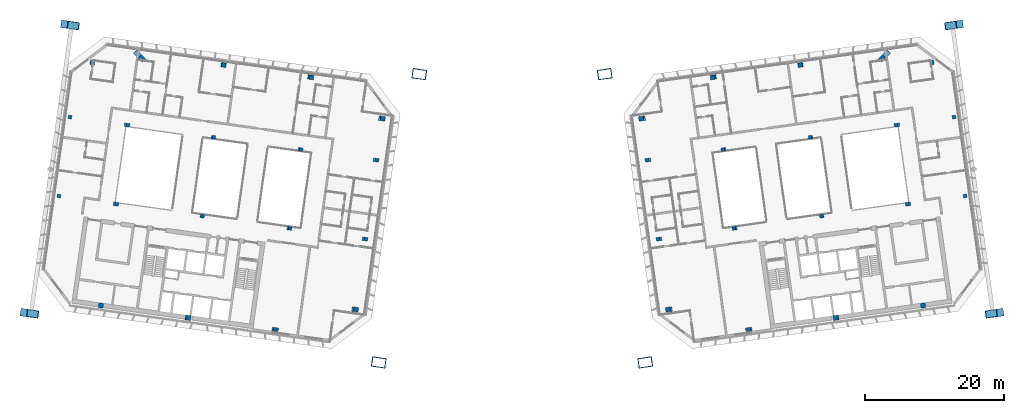
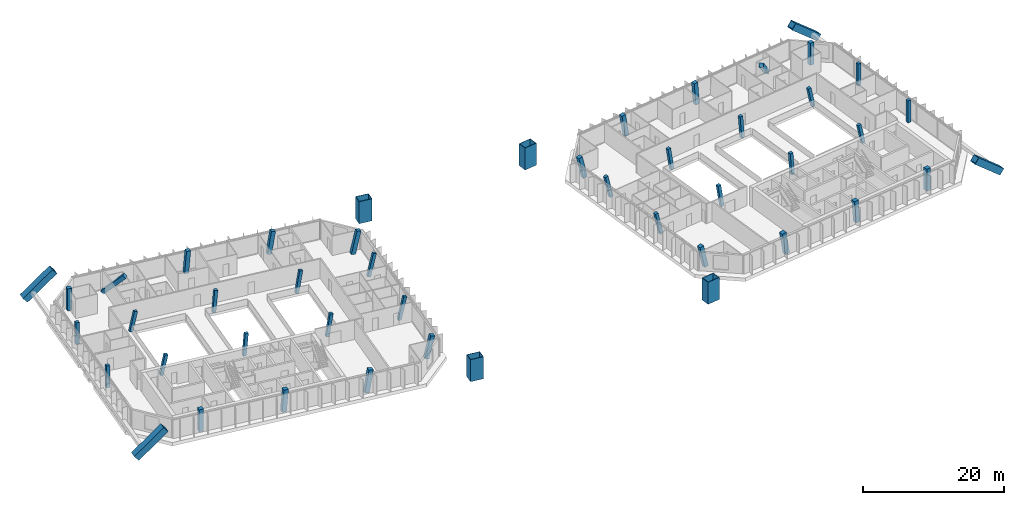
# One storey, part 1 of 25: 46 columns.
"""IFC4 building model written with IfcOpenShell, lengths in metres."""

from ifc_helpers import new_model, si_unit, direction, frame, origin, origin_2d, place, context, subcontext, project, spatial, rectangle, hollow_rectangle, extrude, material, material_profile, profile_set, type_object, element, save


model = new_model("IFC4")

# Units and contexts
model_context = context("Model", 3, precision=1e-05, world=origin(), true_north=direction((0.0, 1.0)))
body_context = subcontext(model_context, "Body", "Model", "MODEL_VIEW")
ifc_project = project(units=[si_unit("LENGTHUNIT", "METRE"), si_unit("AREAUNIT", "SQUARE_METRE"), si_unit("VOLUMEUNIT", "CUBIC_METRE"), si_unit("PLANEANGLEUNIT", "RADIAN"), si_unit("MASSUNIT", "GRAM", prefix="KILO")], contexts=[model_context])

# Site, building, storey
site_placement = place(None, origin())
site = spatial("IfcSite", under=ifc_project, at=site_placement, CompositionType="ELEMENT")
building_placement = place(site_placement, origin())
building = spatial("IfcBuilding", under=site, at=building_placement, Name="Mirante Cascada Hotel Towers", CompositionType="ELEMENT")
storey_placement = place(building_placement, frame((0.0, 0.0, 247.0)))
storey = spatial("IfcBuildingStorey", under=building, at=storey_placement, Name="L59", CompositionType="ELEMENT", Elevation=247.0)

# Columns
ifc_material_1 = material(Name="Steel ASTM A572 Gr 50", Category="steel")
ifc_material_profile_1 = material_profile(ifc_material_1, hollow_rectangle(XDim=1.1, YDim=1.1, WallThickness=0.05, at=origin_2d()), Name="Box column 1100x1100x50 ASTM A572 Gr 50")
ifc_profile_set_1 = profile_set([ifc_material_profile_1], Name="Steel ASTM A572 Gr 50")
column_type_1 = type_object("IfcColumnType", Name="Box column 1100x1100x50 ASTM A572 Gr 50", PredefinedType="COLUMN", material=ifc_profile_set_1)
column_1_placement = place(storey_placement, frame((-64.7076, 24.0842, 0.0), z_axis=(0.7566009, -0.1063347, 0.6451728), x_axis=(0.1391748, 0.9902678, 0.0)))
element("IfcColumn", 1, at=column_1_placement, inside=storey, type_object=column_type_1, Name="Mega column MC3 T1 L59", PredefinedType="COLUMN", context=body_context, shape_type="SweptSolid", body=[
    extrude(hollow_rectangle(XDim=1.1, YDim=1.1, WallThickness=0.05, at=origin_2d()), origin(), (0.0, 0.0, 1.0), 5.8899),
])
column_2_placement = place(storey_placement, frame((-70.5528, -17.5071, 0.0), z_axis=(0.756595, -0.1063192, 0.6451823), x_axis=(0.1391561, 0.9902705, 0.0)))
element("IfcColumn", 2, at=column_2_placement, inside=storey, type_object=column_type_1, Name="Mega column MC4 T1 L59", PredefinedType="COLUMN", context=body_context, shape_type="SweptSolid", body=[
    extrude(hollow_rectangle(XDim=1.1, YDim=1.1, WallThickness=0.05, at=origin_2d()), origin(), (0.0, 0.0, 1.0), 5.8898),
])
column_3_placement = place(storey_placement, frame((64.7076, 24.0842, 0.0), z_axis=(-0.7566009, -0.1063347, 0.6451728), x_axis=(0.1391748, -0.9902678, 0.0)))
element("IfcColumn", 3, at=column_3_placement, inside=storey, type_object=column_type_1, Name="Mega column MC3 T2 L59", PredefinedType="COLUMN", context=body_context, shape_type="SweptSolid", body=[
    extrude(hollow_rectangle(XDim=1.1, YDim=1.1, WallThickness=0.05, at=origin_2d()), origin(), (0.0, 0.0, 1.0), 5.8899),
])
column_4_placement = place(storey_placement, frame((70.5528, -17.5071, 0.0), z_axis=(-0.756595, -0.1063192, 0.6451823), x_axis=(0.1391561, -0.9902705, 0.0)))
element("IfcColumn", 4, at=column_4_placement, inside=storey, type_object=column_type_1, Name="Mega column MC4 T2 L59", PredefinedType="COLUMN", context=body_context, shape_type="SweptSolid", body=[
    extrude(hollow_rectangle(XDim=1.1, YDim=1.1, WallThickness=0.05, at=origin_2d()), origin(), (0.0, 0.0, 1.0), 5.8898),
])
ifc_material_2 = material(Name="Steel ASTM A572 Gr 50", Category="steel")
ifc_material_profile_2 = material_profile(ifc_material_2, hollow_rectangle(XDim=2.0, YDim=1.4, WallThickness=0.06, at=origin_2d()), Name="Box column 1400x2000x60 ASTM A572 Gr 50")
ifc_profile_set_2 = profile_set([ifc_material_profile_2], Name="Steel ASTM A572 Gr 50")
column_type_2 = type_object("IfcColumnType", Name="Box column 1400x2000x60 ASTM A572 Gr 50", PredefinedType="COLUMN", material=ifc_profile_set_2)
for number, where, z_axis, x_axis, name in (
    (5, (-13.3761, 16.87, 0.0), (0.0, 0.0, 1.0), (-0.9902681, 0.1391731, 0.0), "Mega column MC1 T1 L59"),
    (6, (-19.2213, -24.7212, 0.0), (0.0, 0.0, 1.0), (-0.9902681, 0.1391731, 0.0), "Mega column MC2 T1 L59"),
    (7, (13.3761, 16.87, 0.0), (0.0, 0.0, 1.0), (0.9902681, 0.1391731, 0.0), "Mega column MC1 T2 L59"),
    (8, (19.2213, -24.7212, 0.0), (0.0, 0.0, 1.0), (0.9902681, 0.1391731, 0.0), "Mega column MC2 T2 L59"),
):
    element("IfcColumn", number, at=place(storey_placement, frame(where, z_axis=z_axis, x_axis=x_axis)), inside=storey, type_object=column_type_2, Name=name, PredefinedType="COLUMN", context=body_context, shape_type="SweptSolid", body=[
        extrude(hollow_rectangle(XDim=2.0, YDim=1.4, WallThickness=0.06, at=origin_2d()), origin(), (0.0, 0.0, 1.0), 3.8),
    ])
ifc_material_3 = material(Name="Concrete C50/60", Category="concrete")
ifc_material_profile_3 = material_profile(ifc_material_3, rectangle(XDim=0.5, YDim=0.5, at=origin_2d()), Name="RC column 500x500 C50/60")
ifc_profile_set_3 = profile_set([ifc_material_profile_3], Name="Concrete C50/60")
column_type_3 = type_object("IfcColumnType", Name="RC column 500x500 C50/60", PredefinedType="COLUMN", material=ifc_profile_set_3)
for number, where, z_axis, x_axis, name in (
    (9, (-19.7466, 4.4861, 0.0039), (0.22184, -0.0311738, 0.9745846), (0.1391564, 0.9902704, 0.0), "Column T1 L59 2"),
    (10, (-21.3471, -6.902, 0.0039), (0.22184, -0.0311738, 0.9745846), (0.1391564, 0.9902704, 0.0), "Column T1 L59 3"),
):
    element("IfcColumn", number, at=place(storey_placement, frame(where, z_axis=z_axis, x_axis=x_axis)), inside=storey, type_object=column_type_3, Name=name, PredefinedType="COLUMN", context=body_context, shape_type="SweptSolid", body=[
        extrude(rectangle(XDim=0.5, YDim=0.5, at=origin_2d()), origin(), (0.0, 0.0, 1.0), 3.8911),
    ])
for number, where, z_axis, x_axis, name in (
    (11, (-30.6078, 6.0126, 0.004), (0.1565252, -0.0220036, 0.9874288), (0.1392069, 0.9902633, 0.0), "Column T1 L59 6"),
    (12, (-32.2083, -5.3755, 0.004), (0.1565252, -0.0220036, 0.9874288), (0.1392069, 0.9902633, 0.0), "Column T1 L59 7"),
):
    element("IfcColumn", number, at=place(storey_placement, frame(where, z_axis=z_axis, x_axis=x_axis)), inside=storey, type_object=column_type_3, Name=name, PredefinedType="COLUMN", context=body_context, shape_type="SweptSolid", body=[
        extrude(rectangle(XDim=0.5, YDim=0.5, at=origin_2d()), origin(), (0.0, 0.0, 1.0), 3.8403),
    ])
for number, where, z_axis, x_axis, name in (
    (13, (-43.1263, 7.7719, 0.004), (0.0790194, -0.0110932, 0.9968114), (0.1390226, 0.9902892, 0.0), "Column T1 L59 10"),
    (14, (-44.7268, -3.6162, 0.004), (0.0790194, -0.0110932, 0.9968114), (0.1390226, 0.9902892, 0.0), "Column T1 L59 11"),
):
    element("IfcColumn", number, at=place(storey_placement, frame(where, z_axis=z_axis, x_axis=x_axis)), inside=storey, type_object=column_type_3, Name=name, PredefinedType="COLUMN", context=body_context, shape_type="SweptSolid", body=[
        extrude(rectangle(XDim=0.5, YDim=0.5, at=origin_2d()), origin(), (0.0, 0.0, 1.0), 3.8041),
    ])
for number, where, z_axis, x_axis, name in (
    (15, (-55.6588, 9.5332, 0.0039), (0.2076735, -0.0291625, 0.9777634), (0.1390605, 0.9902839, 0.0), "Column T1 L59 14"),
    (16, (-57.2592, -1.8548, 0.0039), (0.2076454, -0.0291919, 0.9777685), (0.1392164, 0.990262, 0.0), "Column T1 L59 15"),
):
    element("IfcColumn", number, at=place(storey_placement, frame(where, z_axis=z_axis, x_axis=x_axis)), inside=storey, type_object=column_type_3, Name=name, PredefinedType="COLUMN", context=body_context, shape_type="SweptSolid", body=[
        extrude(rectangle(XDim=0.5, YDim=0.5, at=origin_2d()), origin(), (0.0, 0.0, 1.0), 3.4222),
    ])
for number, where, z_axis, x_axis, name in (
    (17, (-63.7649, 10.6725, 0.0), (0.0, 0.0, 1.0), (-0.9902681, 0.1391731, 0.0), "Column T1 L59 18"),
    (18, (-65.3654, -0.7156, 0.0), (0.0, 0.0, 1.0), (-0.9902681, 0.1391731, 0.0), "Column T1 L59 19"),
):
    element("IfcColumn", number, at=place(storey_placement, frame(where, z_axis=z_axis, x_axis=x_axis)), inside=storey, type_object=column_type_3, Name=name, PredefinedType="COLUMN", context=body_context, shape_type="SweptSolid", body=[
        extrude(rectangle(XDim=0.5, YDim=0.5, at=origin_2d()), origin(), (0.0, 0.0, 1.0), 3.8),
    ])
for number, where, z_axis, x_axis, name in (
    (19, (19.7466, 4.4861, 0.0039), (-0.22184, -0.0311738, 0.9745846), (0.1391564, -0.9902704, 0.0), "Column T2 L59 2"),
    (20, (21.3471, -6.902, 0.0039), (-0.22184, -0.0311738, 0.9745846), (0.1391564, -0.9902704, 0.0), "Column T2 L59 3"),
):
    element("IfcColumn", number, at=place(storey_placement, frame(where, z_axis=z_axis, x_axis=x_axis)), inside=storey, type_object=column_type_3, Name=name, PredefinedType="COLUMN", context=body_context, shape_type="SweptSolid", body=[
        extrude(rectangle(XDim=0.5, YDim=0.5, at=origin_2d()), origin(), (0.0, 0.0, 1.0), 3.8911),
    ])
for number, where, z_axis, x_axis, name in (
    (21, (30.6078, 6.0126, 0.004), (-0.1565252, -0.0220036, 0.9874288), (0.1392069, -0.9902633, 0.0), "Column T2 L59 6"),
    (22, (32.2083, -5.3755, 0.004), (-0.1565252, -0.0220036, 0.9874288), (0.1392069, -0.9902633, 0.0), "Column T2 L59 7"),
):
    element("IfcColumn", number, at=place(storey_placement, frame(where, z_axis=z_axis, x_axis=x_axis)), inside=storey, type_object=column_type_3, Name=name, PredefinedType="COLUMN", context=body_context, shape_type="SweptSolid", body=[
        extrude(rectangle(XDim=0.5, YDim=0.5, at=origin_2d()), origin(), (0.0, 0.0, 1.0), 3.8403),
    ])
for number, where, z_axis, x_axis, name in (
    (23, (43.1263, 7.7719, 0.004), (-0.0790194, -0.0110932, 0.9968114), (0.1390226, -0.9902892, 0.0), "Column T2 L59 10"),
    (24, (44.7268, -3.6162, 0.004), (-0.0790194, -0.0110932, 0.9968114), (0.1390226, -0.9902892, 0.0), "Column T2 L59 11"),
):
    element("IfcColumn", number, at=place(storey_placement, frame(where, z_axis=z_axis, x_axis=x_axis)), inside=storey, type_object=column_type_3, Name=name, PredefinedType="COLUMN", context=body_context, shape_type="SweptSolid", body=[
        extrude(rectangle(XDim=0.5, YDim=0.5, at=origin_2d()), origin(), (0.0, 0.0, 1.0), 3.8041),
    ])
for number, where, z_axis, x_axis, name in (
    (25, (55.6588, 9.5332, 0.0039), (-0.2076735, -0.0291625, 0.9777634), (0.1390605, -0.9902839, 0.0), "Column T2 L59 14"),
    (26, (57.2592, -1.8548, 0.0039), (-0.2076454, -0.0291919, 0.9777685), (0.1392164, -0.990262, 0.0), "Column T2 L59 15"),
):
    element("IfcColumn", number, at=place(storey_placement, frame(where, z_axis=z_axis, x_axis=x_axis)), inside=storey, type_object=column_type_3, Name=name, PredefinedType="COLUMN", context=body_context, shape_type="SweptSolid", body=[
        extrude(rectangle(XDim=0.5, YDim=0.5, at=origin_2d()), origin(), (0.0, 0.0, 1.0), 3.4222),
    ])
for number, where, z_axis, x_axis, name in (
    (27, (63.7649, 10.6725, 0.0), (0.0, 0.0, 1.0), (0.9902681, 0.1391731, 0.0), "Column T2 L59 18"),
    (28, (65.3654, -0.7156, 0.0), (0.0, 0.0, 1.0), (0.9902681, 0.1391731, 0.0), "Column T2 L59 19"),
):
    element("IfcColumn", number, at=place(storey_placement, frame(where, z_axis=z_axis, x_axis=x_axis)), inside=storey, type_object=column_type_3, Name=name, PredefinedType="COLUMN", context=body_context, shape_type="SweptSolid", body=[
        extrude(rectangle(XDim=0.5, YDim=0.5, at=origin_2d()), origin(), (0.0, 0.0, 1.0), 3.8),
    ])
ifc_material_4 = material(Name="Concrete C50/60", Category="concrete")
ifc_material_profile_4 = material_profile(ifc_material_4, rectangle(XDim=0.65, YDim=0.65, at=origin_2d()), Name="RC column 650x650 C50/60")
ifc_profile_set_4 = profile_set([ifc_material_profile_4], Name="Concrete C50/60")
column_type_4 = type_object("IfcColumnType", Name="RC column 650x650 C50/60", PredefinedType="COLUMN", material=ifc_profile_set_4)
for number, where, z_axis, x_axis, name in (
    (29, (-18.9046, 10.4772, 0.0039), (0.22184, -0.0311738, 0.9745846), (0.1391564, 0.9902704, 0.0), "Column T1 L59 1"),
    (30, (-22.7736, -17.0522, 0.0039), (0.22184, -0.0311738, 0.9745846), (0.1391564, 0.9902704, 0.0), "Column T1 L59 4"),
):
    element("IfcColumn", number, at=place(storey_placement, frame(where, z_axis=z_axis, x_axis=x_axis)), inside=storey, type_object=column_type_4, Name=name, PredefinedType="COLUMN", context=body_context, shape_type="SweptSolid", body=[
        extrude(rectangle(XDim=0.65, YDim=0.65, at=origin_2d()), origin(), (0.0, 0.0, 1.0), 3.8911),
    ])
column_5_placement = place(storey_placement, frame((-29.143, 16.4351, 0.004), z_axis=(0.1565253, -0.0219776, 0.9874294), x_axis=(0.1390453, 0.990286, 0.0)))
element("IfcColumn", 31, at=column_5_placement, inside=storey, type_object=column_type_4, Name="Column T1 L59 5", PredefinedType="COLUMN", context=body_context, shape_type="SweptSolid", body=[
    extrude(rectangle(XDim=0.65, YDim=0.65, at=origin_2d()), origin(), (0.0, 0.0, 1.0), 3.8403),
])
column_6_placement = place(storey_placement, frame((-41.6615, 18.1945, 0.004), z_axis=(0.0790194, -0.0110932, 0.9968114), x_axis=(0.1390226, 0.9902892, 0.0)))
element("IfcColumn", 32, at=column_6_placement, inside=storey, type_object=column_type_4, Name="Column T1 L59 9", PredefinedType="COLUMN", context=body_context, shape_type="SweptSolid", body=[
    extrude(rectangle(XDim=0.65, YDim=0.65, at=origin_2d()), origin(), (0.0, 0.0, 1.0), 3.8041),
])
column_7_placement = place(storey_placement, frame((-54.1928, 19.9539, 0.0029), z_axis=(0.4847093, -0.5014108, 0.7166897), x_axis=(0.7189797, 0.6950311, 0.0)))
element("IfcColumn", 33, at=column_7_placement, inside=storey, type_object=column_type_4, Name="Column T1 L59 13", PredefinedType="COLUMN", context=body_context, shape_type="SweptSolid", body=[
    extrude(rectangle(XDim=0.65, YDim=0.65, at=origin_2d()), origin(), (0.0, 0.0, 1.0), 4.6702),
])
column_8_placement = place(storey_placement, frame((-60.5372, 18.5499, 0.0), z_axis=(0.0, 0.0, 1.0), x_axis=(-0.9902681, 0.1391731, 0.0)))
element("IfcColumn", 34, at=column_8_placement, inside=storey, type_object=column_type_4, Name="Column T1 L59 17", PredefinedType="COLUMN", context=body_context, shape_type="SweptSolid", body=[
    extrude(rectangle(XDim=0.65, YDim=0.65, at=origin_2d()), origin(), (0.0, 0.0, 1.0), 3.8),
])
for number, where, z_axis, x_axis, name in (
    (35, (18.9046, 10.4772, 0.0039), (-0.22184, -0.0311738, 0.9745846), (0.1391564, -0.9902704, 0.0), "Column T2 L59 1"),
    (36, (22.7736, -17.0522, 0.0039), (-0.22184, -0.0311738, 0.9745846), (0.1391564, -0.9902704, 0.0), "Column T2 L59 4"),
):
    element("IfcColumn", number, at=place(storey_placement, frame(where, z_axis=z_axis, x_axis=x_axis)), inside=storey, type_object=column_type_4, Name=name, PredefinedType="COLUMN", context=body_context, shape_type="SweptSolid", body=[
        extrude(rectangle(XDim=0.65, YDim=0.65, at=origin_2d()), origin(), (0.0, 0.0, 1.0), 3.8911),
    ])
column_9_placement = place(storey_placement, frame((29.143, 16.4351, 0.004), z_axis=(-0.1565253, -0.0219776, 0.9874294), x_axis=(0.1390453, -0.990286, 0.0)))
element("IfcColumn", 37, at=column_9_placement, inside=storey, type_object=column_type_4, Name="Column T2 L59 5", PredefinedType="COLUMN", context=body_context, shape_type="SweptSolid", body=[
    extrude(rectangle(XDim=0.65, YDim=0.65, at=origin_2d()), origin(), (0.0, 0.0, 1.0), 3.8403),
])
column_10_placement = place(storey_placement, frame((41.6615, 18.1945, 0.004), z_axis=(-0.0790194, -0.0110932, 0.9968114), x_axis=(0.1390226, -0.9902892, 0.0)))
element("IfcColumn", 38, at=column_10_placement, inside=storey, type_object=column_type_4, Name="Column T2 L59 9", PredefinedType="COLUMN", context=body_context, shape_type="SweptSolid", body=[
    extrude(rectangle(XDim=0.65, YDim=0.65, at=origin_2d()), origin(), (0.0, 0.0, 1.0), 3.8041),
])
column_11_placement = place(storey_placement, frame((54.1928, 19.9539, 0.0029), z_axis=(-0.4847093, -0.5014108, 0.7166897), x_axis=(0.7189797, -0.6950311, 0.0)))
element("IfcColumn", 39, at=column_11_placement, inside=storey, type_object=column_type_4, Name="Column T2 L59 13", PredefinedType="COLUMN", context=body_context, shape_type="SweptSolid", body=[
    extrude(rectangle(XDim=0.65, YDim=0.65, at=origin_2d()), origin(), (0.0, 0.0, 1.0), 4.6702),
])
column_12_placement = place(storey_placement, frame((60.5372, 18.5499, 0.0), z_axis=(0.0, 0.0, 1.0), x_axis=(0.9902681, 0.1391731, 0.0)))
element("IfcColumn", 40, at=column_12_placement, inside=storey, type_object=column_type_4, Name="Column T2 L59 17", PredefinedType="COLUMN", context=body_context, shape_type="SweptSolid", body=[
    extrude(rectangle(XDim=0.65, YDim=0.65, at=origin_2d()), origin(), (0.0, 0.0, 1.0), 3.8),
])
ifc_material_5 = material(Name="Concrete C50/60", Category="concrete")
ifc_material_profile_5 = material_profile(ifc_material_5, rectangle(XDim=0.7, YDim=0.7, at=origin_2d()), Name="RC column 700x700 C50/60")
ifc_profile_set_5 = profile_set([ifc_material_profile_5], Name="Concrete C50/60")
column_type_5 = type_object("IfcColumnType", Name="RC column 700x700 C50/60", PredefinedType="COLUMN", material=ifc_profile_set_5)
column_13_placement = place(storey_placement, frame((-34.2681, -20.0315, 0.004), z_axis=(0.1565506, -0.0220035, 0.9874248), x_axis=(0.1391842, 0.9902665, 0.0)))
element("IfcColumn", 41, at=column_13_placement, inside=storey, type_object=column_type_5, Name="Column T1 L59 8", PredefinedType="COLUMN", context=body_context, shape_type="SweptSolid", body=[
    extrude(rectangle(XDim=0.7, YDim=0.7, at=origin_2d()), origin(), (0.0, 0.0, 1.0), 3.8403),
])
column_14_placement = place(storey_placement, frame((-46.7865, -18.2721, 0.004), z_axis=(0.0789932, -0.0111195, 0.9968131), x_axis=(0.1393912, 0.9902374, 0.0)))
element("IfcColumn", 42, at=column_14_placement, inside=storey, type_object=column_type_5, Name="Column T1 L59 12", PredefinedType="COLUMN", context=body_context, shape_type="SweptSolid", body=[
    extrude(rectangle(XDim=0.7, YDim=0.7, at=origin_2d()), origin(), (0.0, 0.0, 1.0), 3.8041),
])
column_15_placement = place(storey_placement, frame((-59.305, -16.5128, 0.0), z_axis=(0.0, 0.0, 1.0), x_axis=(-0.9902681, 0.1391731, 0.0)))
element("IfcColumn", 43, at=column_15_placement, inside=storey, type_object=column_type_5, Name="Column T1 L59 16", PredefinedType="COLUMN", context=body_context, shape_type="SweptSolid", body=[
    extrude(rectangle(XDim=0.7, YDim=0.7, at=origin_2d()), origin(), (0.0, 0.0, 1.0), 3.8),
])
column_16_placement = place(storey_placement, frame((34.2681, -20.0315, 0.004), z_axis=(-0.1565506, -0.0220035, 0.9874248), x_axis=(0.1391842, -0.9902665, 0.0)))
element("IfcColumn", 44, at=column_16_placement, inside=storey, type_object=column_type_5, Name="Column T2 L59 8", PredefinedType="COLUMN", context=body_context, shape_type="SweptSolid", body=[
    extrude(rectangle(XDim=0.7, YDim=0.7, at=origin_2d()), origin(), (0.0, 0.0, 1.0), 3.8403),
])
column_17_placement = place(storey_placement, frame((46.7865, -18.2721, 0.004), z_axis=(-0.0789932, -0.0111195, 0.9968131), x_axis=(0.1393912, -0.9902374, 0.0)))
element("IfcColumn", 45, at=column_17_placement, inside=storey, type_object=column_type_5, Name="Column T2 L59 12", PredefinedType="COLUMN", context=body_context, shape_type="SweptSolid", body=[
    extrude(rectangle(XDim=0.7, YDim=0.7, at=origin_2d()), origin(), (0.0, 0.0, 1.0), 3.8041),
])
column_18_placement = place(storey_placement, frame((59.305, -16.5128, 0.0), z_axis=(0.0, 0.0, 1.0), x_axis=(0.9902681, 0.1391731, 0.0)))
element("IfcColumn", 46, at=column_18_placement, inside=storey, type_object=column_type_5, Name="Column T2 L59 16", PredefinedType="COLUMN", context=body_context, shape_type="SweptSolid", body=[
    extrude(rectangle(XDim=0.7, YDim=0.7, at=origin_2d()), origin(), (0.0, 0.0, 1.0), 3.8),
])

save(model, "model.ifc")
